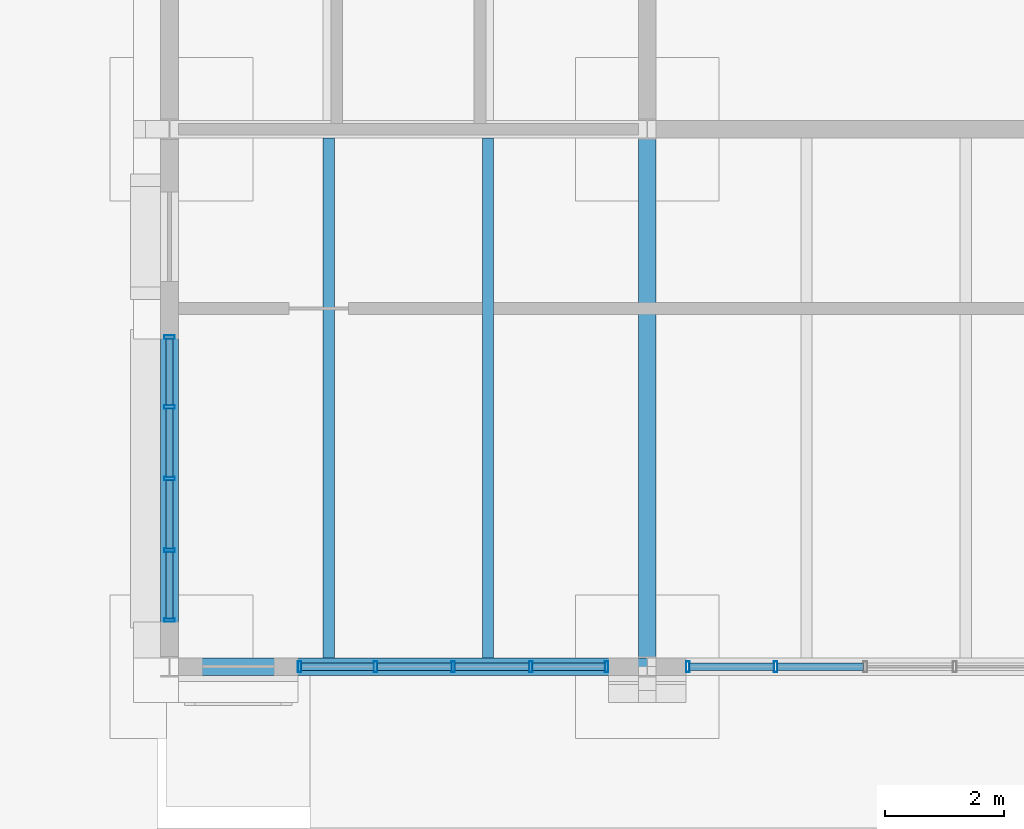
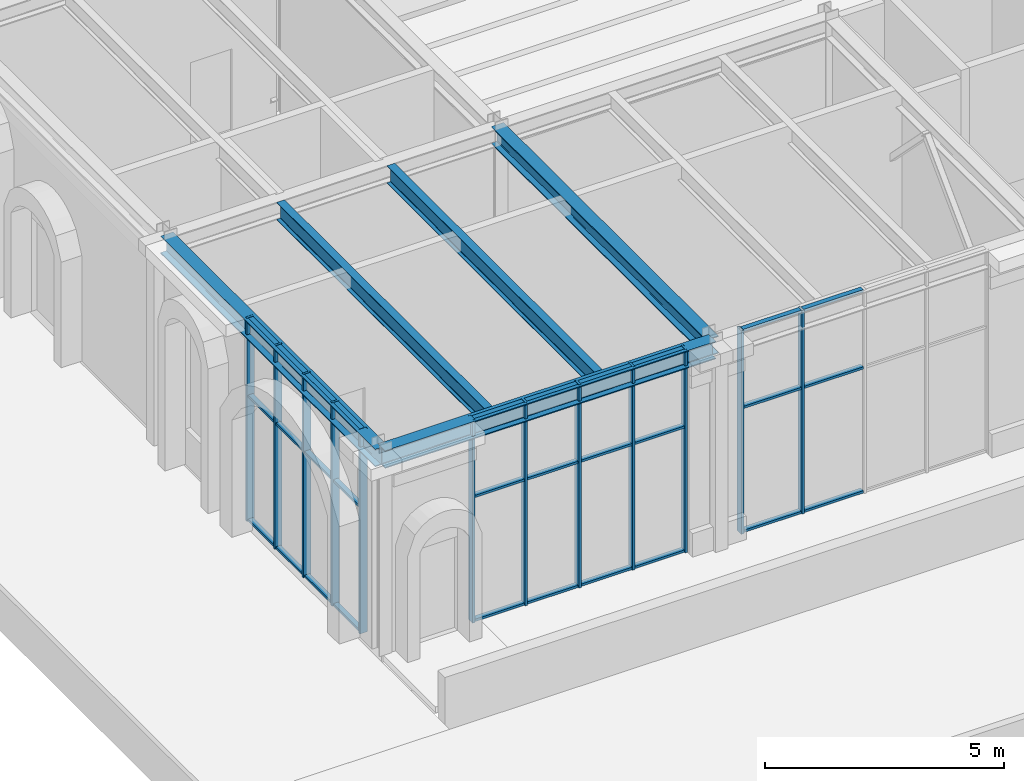
# One storey, part 29 of 126: 42 members, 5 beams, 3 elements without a shape of their own.
"""IFC4 building model written with IfcOpenShell, lengths in metres."""

from ifc_helpers import new_model, si_unit, direction, frame, origin, origin_2d, place, context, subcontext, project, spatial, hollow_rectangle, i_section, extrude, material, material_profile, profile_set, type_object, element, aggregate, save


model = new_model("IFC4")

# Units and contexts
model_context = context("Model", 3, precision=1e-05, world=origin(), true_north=direction((0.0, 1.0)))
body_context = subcontext(model_context, "Body", "Model", "MODEL_VIEW")
ifc_project = project(units=[si_unit("LENGTHUNIT", "METRE"), si_unit("AREAUNIT", "SQUARE_METRE"), si_unit("VOLUMEUNIT", "CUBIC_METRE"), si_unit("PLANEANGLEUNIT", "RADIAN"), si_unit("MASSUNIT", "GRAM", prefix="KILO")], contexts=[model_context])

# Site, building, storey
site_placement = place(None, origin())
site = spatial("IfcSite", under=ifc_project, at=site_placement, CompositionType="ELEMENT")
building_placement = place(site_placement, origin())
building = spatial("IfcBuilding", under=site, at=building_placement, Name="Kallimachos Central Library", CompositionType="ELEMENT")
storey_placement = place(building_placement, origin())
storey = spatial("IfcBuildingStorey", under=building, at=storey_placement, Name="L00", CompositionType="ELEMENT", Elevation=0.0)

# Curtain wall, members
ifc_material_1 = material(Name="Aluminium and laminated glass", Category="aluminium")
curtain_wall_type = type_object("IfcCurtainWallType", Name="Shopfront curtain wall", PredefinedType="NOTDEFINED", material=ifc_material_1)
curtain_wall_1_placement = place(storey_placement, origin())
curtain_wall_1 = element("IfcCurtainWall", 1, at=curtain_wall_1_placement, inside=storey, type_object=curtain_wall_type, Name="V6-CWL-L00-001", PredefinedType="NOTDEFINED")
ifc_material_2 = material(Name="Anodised aluminium", Category="aluminium")
ifc_material_profile_1 = material_profile(ifc_material_2, hollow_rectangle(XDim=0.06005859375, YDim=0.179931640625, WallThickness=0.00390625, at=origin_2d()), Name="ALU MULLION 60x180")
ifc_profile_set_1 = profile_set([ifc_material_profile_1], Name="Anodised aluminium")
member_type_1 = type_object("IfcMemberType", Name="ALU MULLION 60x180 mullion", PredefinedType="MULLION", material=ifc_profile_set_1)
member_1_placement = place(storey_placement, frame((8.179931640625, 9.0, 0.0), z_axis=(0.0, 0.0, 1.0), x_axis=(1.0, 0.0, 0.0)))
member_1 = element("IfcMember", 2, at=member_1_placement, type_object=member_type_1, Name="CW mullion 1", PredefinedType="MULLION", context=body_context, shape_type="SweptSolid", body=[
    extrude(hollow_rectangle(XDim=0.06005859375, YDim=0.179931640625, WallThickness=0.00390625, at=origin_2d()), origin(), (0.0, 0.0, 1.0), 5.199951171875),
])
member_2_placement = place(storey_placement, frame((9.449951171875, 9.0, 0.0), z_axis=(0.0, 0.0, 1.0), x_axis=(1.0, 0.0, 0.0)))
member_2 = element("IfcMember", 3, at=member_2_placement, type_object=member_type_1, Name="CW mullion 2", PredefinedType="MULLION", context=body_context, shape_type="SweptSolid", body=[
    extrude(hollow_rectangle(XDim=0.06005859375, YDim=0.179931640625, WallThickness=0.00390625, at=origin_2d()), origin(), (0.0, 0.0, 1.0), 5.199951171875),
])
member_3_placement = place(storey_placement, frame((10.75, 9.0, 0.0), z_axis=(0.0, 0.0, 1.0), x_axis=(1.0, 0.0, 0.0)))
member_3 = element("IfcMember", 4, at=member_3_placement, type_object=member_type_1, Name="CW mullion 3", PredefinedType="MULLION", context=body_context, shape_type="SweptSolid", body=[
    extrude(hollow_rectangle(XDim=0.06005859375, YDim=0.179931640625, WallThickness=0.00390625, at=origin_2d()), origin(), (0.0, 0.0, 1.0), 5.199951171875),
])
member_4_placement = place(storey_placement, frame((12.050048828125, 9.0, 0.0), z_axis=(0.0, 0.0, 1.0), x_axis=(1.0, 0.0, 0.0)))
member_4 = element("IfcMember", 5, at=member_4_placement, type_object=member_type_1, Name="CW mullion 4", PredefinedType="MULLION", context=body_context, shape_type="SweptSolid", body=[
    extrude(hollow_rectangle(XDim=0.06005859375, YDim=0.179931640625, WallThickness=0.00390625, at=origin_2d()), origin(), (0.0, 0.0, 1.0), 5.199951171875),
])
member_5_placement = place(storey_placement, frame((13.320068359375, 9.0, 0.0), z_axis=(0.0, 0.0, 1.0), x_axis=(1.0, 0.0, 0.0)))
member_5 = element("IfcMember", 6, at=member_5_placement, type_object=member_type_1, Name="CW mullion 5", PredefinedType="MULLION", context=body_context, shape_type="SweptSolid", body=[
    extrude(hollow_rectangle(XDim=0.06005859375, YDim=0.179931640625, WallThickness=0.00390625, at=origin_2d()), origin(), (0.0, 0.0, 1.0), 5.199951171875),
])

curtain_wall_2_placement = place(storey_placement, origin())
curtain_wall_2 = element("IfcCurtainWall", 7, at=curtain_wall_2_placement, inside=storey, type_object=curtain_wall_type, Name="V6-CWL-L00-002", PredefinedType="NOTDEFINED")
member_6_placement = place(storey_placement, frame((14.679931640625, 9.0, 0.0), z_axis=(0.0, 0.0, 1.0), x_axis=(1.0, 0.0, 0.0)))
member_6 = element("IfcMember", 8, at=member_6_placement, type_object=member_type_1, Name="CW mullion 1", PredefinedType="MULLION", context=body_context, shape_type="SweptSolid", body=[
    extrude(hollow_rectangle(XDim=0.06005859375, YDim=0.179931640625, WallThickness=0.00390625, at=origin_2d()), origin(), (0.0, 0.0, 1.0), 5.199951171875),
])
member_7_placement = place(storey_placement, frame((16.14990234375, 9.0, 0.0), z_axis=(0.0, 0.0, 1.0), x_axis=(1.0, 0.0, 0.0)))
member_7 = element("IfcMember", 9, at=member_7_placement, type_object=member_type_1, Name="CW mullion 2", PredefinedType="MULLION", context=body_context, shape_type="SweptSolid", body=[
    extrude(hollow_rectangle(XDim=0.06005859375, YDim=0.179931640625, WallThickness=0.00390625, at=origin_2d()), origin(), (0.0, 0.0, 1.0), 5.199951171875),
])

curtain_wall_3_placement = place(storey_placement, origin())
curtain_wall_3 = element("IfcCurtainWall", 10, at=curtain_wall_3_placement, inside=storey, type_object=curtain_wall_type, Name="V6-CWL-L00-003", PredefinedType="NOTDEFINED")
member_8_placement = place(storey_placement, frame((6.0, 9.780029296875, 0.0), z_axis=(0.0, 0.0, 1.0), x_axis=(0.0, 1.0, 0.0)))
member_8 = element("IfcMember", 11, at=member_8_placement, type_object=member_type_1, Name="CW mullion 1", PredefinedType="MULLION", context=body_context, shape_type="SweptSolid", body=[
    extrude(hollow_rectangle(XDim=0.06005859375, YDim=0.179931640625, WallThickness=0.00390625, at=origin_2d()), origin(), (0.0, 0.0, 1.0), 5.199951171875),
])
member_9_placement = place(storey_placement, frame((6.0, 10.949951171875, 0.0), z_axis=(0.0, 0.0, 1.0), x_axis=(0.0, 1.0, 0.0)))
member_9 = element("IfcMember", 12, at=member_9_placement, type_object=member_type_1, Name="CW mullion 2", PredefinedType="MULLION", context=body_context, shape_type="SweptSolid", body=[
    extrude(hollow_rectangle(XDim=0.06005859375, YDim=0.179931640625, WallThickness=0.00390625, at=origin_2d()), origin(), (0.0, 0.0, 1.0), 5.199951171875),
])
member_10_placement = place(storey_placement, frame((6.0, 12.14990234375, 0.0), z_axis=(0.0, 0.0, 1.0), x_axis=(0.0, 1.0, 0.0)))
member_10 = element("IfcMember", 13, at=member_10_placement, type_object=member_type_1, Name="CW mullion 3", PredefinedType="MULLION", context=body_context, shape_type="SweptSolid", body=[
    extrude(hollow_rectangle(XDim=0.06005859375, YDim=0.179931640625, WallThickness=0.00390625, at=origin_2d()), origin(), (0.0, 0.0, 1.0), 5.199951171875),
])
member_11_placement = place(storey_placement, frame((6.0, 13.35009765625, 0.0), z_axis=(0.0, 0.0, 1.0), x_axis=(0.0, 1.0, 0.0)))
member_11 = element("IfcMember", 14, at=member_11_placement, type_object=member_type_1, Name="CW mullion 4", PredefinedType="MULLION", context=body_context, shape_type="SweptSolid", body=[
    extrude(hollow_rectangle(XDim=0.06005859375, YDim=0.179931640625, WallThickness=0.00390625, at=origin_2d()), origin(), (0.0, 0.0, 1.0), 5.199951171875),
])
member_12_placement = place(storey_placement, frame((6.0, 14.52001953125, 0.0), z_axis=(0.0, 0.0, 1.0), x_axis=(0.0, 1.0, 0.0)))
member_12 = element("IfcMember", 15, at=member_12_placement, type_object=member_type_1, Name="CW mullion 5", PredefinedType="MULLION", context=body_context, shape_type="SweptSolid", body=[
    extrude(hollow_rectangle(XDim=0.06005859375, YDim=0.179931640625, WallThickness=0.00390625, at=origin_2d()), origin(), (0.0, 0.0, 1.0), 5.199951171875),
])

# Member
ifc_material_3 = material(Name="Anodised aluminium", Category="aluminium")
ifc_material_profile_2 = material_profile(ifc_material_3, hollow_rectangle(XDim=0.06005859375, YDim=0.1201171875, WallThickness=0.00390625, at=origin_2d()), Name="ALU TRANSOM 60x120")
ifc_profile_set_2 = profile_set([ifc_material_profile_2], Name="Anodised aluminium")
member_type_2 = type_object("IfcMemberType", Name="ALU TRANSOM 60x120 transom", PredefinedType="USERDEFINED", material=ifc_profile_set_2)
member_13_placement = place(storey_placement, frame((8.2099609375, 9.0, 0.030029296875), z_axis=(1.0, 0.0, 0.0), x_axis=(0.0, 0.0, 1.0)))
member_13 = element("IfcMember", 16, at=member_13_placement, type_object=member_type_2, Name="CW transom 1.1", ObjectType="TRANSOM", PredefinedType="USERDEFINED", context=body_context, shape_type="SweptSolid", body=[
    extrude(hollow_rectangle(XDim=0.06005859375, YDim=0.1201171875, WallThickness=0.00390625, at=origin_2d()), origin(), (0.0, 0.0, 1.0), 1.2099609375),
])

member_14_placement = place(storey_placement, frame((8.2099609375, 9.0, 3.199951171875), z_axis=(1.0, 0.0, 0.0), x_axis=(0.0, 0.0, 1.0)))
member_14 = element("IfcMember", 17, at=member_14_placement, type_object=member_type_2, Name="CW transom 1.2", ObjectType="TRANSOM", PredefinedType="USERDEFINED", context=body_context, shape_type="SweptSolid", body=[
    extrude(hollow_rectangle(XDim=0.06005859375, YDim=0.1201171875, WallThickness=0.00390625, at=origin_2d()), origin(), (0.0, 0.0, 1.0), 1.2099609375),
])

member_15_placement = place(storey_placement, frame((8.2099609375, 9.0, 5.169921875), z_axis=(1.0, 0.0, 0.0), x_axis=(0.0, 0.0, 1.0)))
member_15 = element("IfcMember", 18, at=member_15_placement, type_object=member_type_2, Name="CW transom 1.3", ObjectType="TRANSOM", PredefinedType="USERDEFINED", context=body_context, shape_type="SweptSolid", body=[
    extrude(hollow_rectangle(XDim=0.06005859375, YDim=0.1201171875, WallThickness=0.00390625, at=origin_2d()), origin(), (0.0, 0.0, 1.0), 1.2099609375),
])

member_16_placement = place(storey_placement, frame((9.47998046875, 9.0, 0.030029296875), z_axis=(1.0, 0.0, 0.0), x_axis=(0.0, 0.0, 1.0)))
member_16 = element("IfcMember", 19, at=member_16_placement, type_object=member_type_2, Name="CW transom 2.1", ObjectType="TRANSOM", PredefinedType="USERDEFINED", context=body_context, shape_type="SweptSolid", body=[
    extrude(hollow_rectangle(XDim=0.06005859375, YDim=0.1201171875, WallThickness=0.00390625, at=origin_2d()), origin(), (0.0, 0.0, 1.0), 1.239990234375),
])

member_17_placement = place(storey_placement, frame((9.47998046875, 9.0, 3.199951171875), z_axis=(1.0, 0.0, 0.0), x_axis=(0.0, 0.0, 1.0)))
member_17 = element("IfcMember", 20, at=member_17_placement, type_object=member_type_2, Name="CW transom 2.2", ObjectType="TRANSOM", PredefinedType="USERDEFINED", context=body_context, shape_type="SweptSolid", body=[
    extrude(hollow_rectangle(XDim=0.06005859375, YDim=0.1201171875, WallThickness=0.00390625, at=origin_2d()), origin(), (0.0, 0.0, 1.0), 1.239990234375),
])

member_18_placement = place(storey_placement, frame((9.47998046875, 9.0, 5.169921875), z_axis=(1.0, 0.0, 0.0), x_axis=(0.0, 0.0, 1.0)))
member_18 = element("IfcMember", 21, at=member_18_placement, type_object=member_type_2, Name="CW transom 2.3", ObjectType="TRANSOM", PredefinedType="USERDEFINED", context=body_context, shape_type="SweptSolid", body=[
    extrude(hollow_rectangle(XDim=0.06005859375, YDim=0.1201171875, WallThickness=0.00390625, at=origin_2d()), origin(), (0.0, 0.0, 1.0), 1.239990234375),
])

member_19_placement = place(storey_placement, frame((10.780029296875, 9.0, 0.030029296875), z_axis=(1.0, 0.0, 0.0), x_axis=(0.0, 0.0, 1.0)))
member_19 = element("IfcMember", 22, at=member_19_placement, type_object=member_type_2, Name="CW transom 3.1", ObjectType="TRANSOM", PredefinedType="USERDEFINED", context=body_context, shape_type="SweptSolid", body=[
    extrude(hollow_rectangle(XDim=0.06005859375, YDim=0.1201171875, WallThickness=0.00390625, at=origin_2d()), origin(), (0.0, 0.0, 1.0), 1.239990234375),
])

member_20_placement = place(storey_placement, frame((10.780029296875, 9.0, 3.199951171875), z_axis=(1.0, 0.0, 0.0), x_axis=(0.0, 0.0, 1.0)))
member_20 = element("IfcMember", 23, at=member_20_placement, type_object=member_type_2, Name="CW transom 3.2", ObjectType="TRANSOM", PredefinedType="USERDEFINED", context=body_context, shape_type="SweptSolid", body=[
    extrude(hollow_rectangle(XDim=0.06005859375, YDim=0.1201171875, WallThickness=0.00390625, at=origin_2d()), origin(), (0.0, 0.0, 1.0), 1.239990234375),
])

member_21_placement = place(storey_placement, frame((10.780029296875, 9.0, 5.169921875), z_axis=(1.0, 0.0, 0.0), x_axis=(0.0, 0.0, 1.0)))
member_21 = element("IfcMember", 24, at=member_21_placement, type_object=member_type_2, Name="CW transom 3.3", ObjectType="TRANSOM", PredefinedType="USERDEFINED", context=body_context, shape_type="SweptSolid", body=[
    extrude(hollow_rectangle(XDim=0.06005859375, YDim=0.1201171875, WallThickness=0.00390625, at=origin_2d()), origin(), (0.0, 0.0, 1.0), 1.239990234375),
])

member_22_placement = place(storey_placement, frame((12.080078125, 9.0, 0.030029296875), z_axis=(1.0, 0.0, 0.0), x_axis=(0.0, 0.0, 1.0)))
member_22 = element("IfcMember", 25, at=member_22_placement, type_object=member_type_2, Name="CW transom 4.1", ObjectType="TRANSOM", PredefinedType="USERDEFINED", context=body_context, shape_type="SweptSolid", body=[
    extrude(hollow_rectangle(XDim=0.06005859375, YDim=0.1201171875, WallThickness=0.00390625, at=origin_2d()), origin(), (0.0, 0.0, 1.0), 1.2099609375),
])

member_23_placement = place(storey_placement, frame((12.080078125, 9.0, 3.199951171875), z_axis=(1.0, 0.0, 0.0), x_axis=(0.0, 0.0, 1.0)))
member_23 = element("IfcMember", 26, at=member_23_placement, type_object=member_type_2, Name="CW transom 4.2", ObjectType="TRANSOM", PredefinedType="USERDEFINED", context=body_context, shape_type="SweptSolid", body=[
    extrude(hollow_rectangle(XDim=0.06005859375, YDim=0.1201171875, WallThickness=0.00390625, at=origin_2d()), origin(), (0.0, 0.0, 1.0), 1.2099609375),
])

member_24_placement = place(storey_placement, frame((12.080078125, 9.0, 5.169921875), z_axis=(1.0, 0.0, 0.0), x_axis=(0.0, 0.0, 1.0)))
member_24 = element("IfcMember", 27, at=member_24_placement, type_object=member_type_2, Name="CW transom 4.3", ObjectType="TRANSOM", PredefinedType="USERDEFINED", context=body_context, shape_type="SweptSolid", body=[
    extrude(hollow_rectangle(XDim=0.06005859375, YDim=0.1201171875, WallThickness=0.00390625, at=origin_2d()), origin(), (0.0, 0.0, 1.0), 1.2099609375),
])

aggregate(curtain_wall_1, [member_1, member_2, member_3, member_4, member_5, member_13, member_14, member_15, member_16, member_17, member_18, member_19, member_20, member_21, member_22, member_23, member_24])

member_25_placement = place(storey_placement, frame((14.7099609375, 9.0, 0.030029296875), z_axis=(1.0, 0.0, 0.0), x_axis=(0.0, 0.0, 1.0)))
member_25 = element("IfcMember", 28, at=member_25_placement, type_object=member_type_2, Name="CW transom 1.1", ObjectType="TRANSOM", PredefinedType="USERDEFINED", context=body_context, shape_type="SweptSolid", body=[
    extrude(hollow_rectangle(XDim=0.06005859375, YDim=0.1201171875, WallThickness=0.00390625, at=origin_2d()), origin(), (0.0, 0.0, 1.0), 1.41015625),
])

member_26_placement = place(storey_placement, frame((14.7099609375, 9.0, 3.199951171875), z_axis=(1.0, 0.0, 0.0), x_axis=(0.0, 0.0, 1.0)))
member_26 = element("IfcMember", 29, at=member_26_placement, type_object=member_type_2, Name="CW transom 1.2", ObjectType="TRANSOM", PredefinedType="USERDEFINED", context=body_context, shape_type="SweptSolid", body=[
    extrude(hollow_rectangle(XDim=0.06005859375, YDim=0.1201171875, WallThickness=0.00390625, at=origin_2d()), origin(), (0.0, 0.0, 1.0), 1.41015625),
])

member_27_placement = place(storey_placement, frame((14.7099609375, 9.0, 5.169921875), z_axis=(1.0, 0.0, 0.0), x_axis=(0.0, 0.0, 1.0)))
member_27 = element("IfcMember", 30, at=member_27_placement, type_object=member_type_2, Name="CW transom 1.3", ObjectType="TRANSOM", PredefinedType="USERDEFINED", context=body_context, shape_type="SweptSolid", body=[
    extrude(hollow_rectangle(XDim=0.06005859375, YDim=0.1201171875, WallThickness=0.00390625, at=origin_2d()), origin(), (0.0, 0.0, 1.0), 1.41015625),
])

member_28_placement = place(storey_placement, frame((16.179931640625, 9.0, 0.030029296875), z_axis=(1.0, 0.0, 0.0), x_axis=(0.0, 0.0, 1.0)))
member_28 = element("IfcMember", 31, at=member_28_placement, type_object=member_type_2, Name="CW transom 2.1", ObjectType="TRANSOM", PredefinedType="USERDEFINED", context=body_context, shape_type="SweptSolid", body=[
    extrude(hollow_rectangle(XDim=0.06005859375, YDim=0.1201171875, WallThickness=0.00390625, at=origin_2d()), origin(), (0.0, 0.0, 1.0), 1.440185546875),
])

member_29_placement = place(storey_placement, frame((16.179931640625, 9.0, 3.199951171875), z_axis=(1.0, 0.0, 0.0), x_axis=(0.0, 0.0, 1.0)))
member_29 = element("IfcMember", 32, at=member_29_placement, type_object=member_type_2, Name="CW transom 2.2", ObjectType="TRANSOM", PredefinedType="USERDEFINED", context=body_context, shape_type="SweptSolid", body=[
    extrude(hollow_rectangle(XDim=0.06005859375, YDim=0.1201171875, WallThickness=0.00390625, at=origin_2d()), origin(), (0.0, 0.0, 1.0), 1.440185546875),
])

member_30_placement = place(storey_placement, frame((16.179931640625, 9.0, 5.169921875), z_axis=(1.0, 0.0, 0.0), x_axis=(0.0, 0.0, 1.0)))
member_30 = element("IfcMember", 33, at=member_30_placement, type_object=member_type_2, Name="CW transom 2.3", ObjectType="TRANSOM", PredefinedType="USERDEFINED", context=body_context, shape_type="SweptSolid", body=[
    extrude(hollow_rectangle(XDim=0.06005859375, YDim=0.1201171875, WallThickness=0.00390625, at=origin_2d()), origin(), (0.0, 0.0, 1.0), 1.440185546875),
])

aggregate(curtain_wall_2, [member_6, member_7, member_25, member_26, member_27, member_28, member_29, member_30])

member_31_placement = place(storey_placement, frame((6.0, 9.81005859375, 0.030029296875), z_axis=(0.0, 1.0, 0.0), x_axis=(0.0, 0.0, 1.0)))
member_31 = element("IfcMember", 34, at=member_31_placement, type_object=member_type_2, Name="CW transom 1.1", ObjectType="TRANSOM", PredefinedType="USERDEFINED", context=body_context, shape_type="SweptSolid", body=[
    extrude(hollow_rectangle(XDim=0.06005859375, YDim=0.1201171875, WallThickness=0.00390625, at=origin_2d()), origin(), (0.0, 0.0, 1.0), 1.10986328125),
])

member_32_placement = place(storey_placement, frame((6.0, 9.81005859375, 3.199951171875), z_axis=(0.0, 1.0, 0.0), x_axis=(0.0, 0.0, 1.0)))
member_32 = element("IfcMember", 35, at=member_32_placement, type_object=member_type_2, Name="CW transom 1.2", ObjectType="TRANSOM", PredefinedType="USERDEFINED", context=body_context, shape_type="SweptSolid", body=[
    extrude(hollow_rectangle(XDim=0.06005859375, YDim=0.1201171875, WallThickness=0.00390625, at=origin_2d()), origin(), (0.0, 0.0, 1.0), 1.10986328125),
])

member_33_placement = place(storey_placement, frame((6.0, 9.81005859375, 5.169921875), z_axis=(0.0, 1.0, 0.0), x_axis=(0.0, 0.0, 1.0)))
member_33 = element("IfcMember", 36, at=member_33_placement, type_object=member_type_2, Name="CW transom 1.3", ObjectType="TRANSOM", PredefinedType="USERDEFINED", context=body_context, shape_type="SweptSolid", body=[
    extrude(hollow_rectangle(XDim=0.06005859375, YDim=0.1201171875, WallThickness=0.00390625, at=origin_2d()), origin(), (0.0, 0.0, 1.0), 1.10986328125),
])

member_34_placement = place(storey_placement, frame((6.0, 10.97998046875, 0.030029296875), z_axis=(0.0, 1.0, 0.0), x_axis=(0.0, 0.0, 1.0)))
member_34 = element("IfcMember", 37, at=member_34_placement, type_object=member_type_2, Name="CW transom 2.1", ObjectType="TRANSOM", PredefinedType="USERDEFINED", context=body_context, shape_type="SweptSolid", body=[
    extrude(hollow_rectangle(XDim=0.06005859375, YDim=0.1201171875, WallThickness=0.00390625, at=origin_2d()), origin(), (0.0, 0.0, 1.0), 1.14013671875),
])

member_35_placement = place(storey_placement, frame((6.0, 10.97998046875, 3.199951171875), z_axis=(0.0, 1.0, 0.0), x_axis=(0.0, 0.0, 1.0)))
member_35 = element("IfcMember", 38, at=member_35_placement, type_object=member_type_2, Name="CW transom 2.2", ObjectType="TRANSOM", PredefinedType="USERDEFINED", context=body_context, shape_type="SweptSolid", body=[
    extrude(hollow_rectangle(XDim=0.06005859375, YDim=0.1201171875, WallThickness=0.00390625, at=origin_2d()), origin(), (0.0, 0.0, 1.0), 1.14013671875),
])

member_36_placement = place(storey_placement, frame((6.0, 10.97998046875, 5.169921875), z_axis=(0.0, 1.0, 0.0), x_axis=(0.0, 0.0, 1.0)))
member_36 = element("IfcMember", 39, at=member_36_placement, type_object=member_type_2, Name="CW transom 2.3", ObjectType="TRANSOM", PredefinedType="USERDEFINED", context=body_context, shape_type="SweptSolid", body=[
    extrude(hollow_rectangle(XDim=0.06005859375, YDim=0.1201171875, WallThickness=0.00390625, at=origin_2d()), origin(), (0.0, 0.0, 1.0), 1.14013671875),
])

member_37_placement = place(storey_placement, frame((6.0, 12.179931640625, 0.030029296875), z_axis=(0.0, 1.0, 0.0), x_axis=(0.0, 0.0, 1.0)))
member_37 = element("IfcMember", 40, at=member_37_placement, type_object=member_type_2, Name="CW transom 3.1", ObjectType="TRANSOM", PredefinedType="USERDEFINED", context=body_context, shape_type="SweptSolid", body=[
    extrude(hollow_rectangle(XDim=0.06005859375, YDim=0.1201171875, WallThickness=0.00390625, at=origin_2d()), origin(), (0.0, 0.0, 1.0), 1.14013671875),
])

member_38_placement = place(storey_placement, frame((6.0, 12.179931640625, 3.199951171875), z_axis=(0.0, 1.0, 0.0), x_axis=(0.0, 0.0, 1.0)))
member_38 = element("IfcMember", 41, at=member_38_placement, type_object=member_type_2, Name="CW transom 3.2", ObjectType="TRANSOM", PredefinedType="USERDEFINED", context=body_context, shape_type="SweptSolid", body=[
    extrude(hollow_rectangle(XDim=0.06005859375, YDim=0.1201171875, WallThickness=0.00390625, at=origin_2d()), origin(), (0.0, 0.0, 1.0), 1.14013671875),
])

member_39_placement = place(storey_placement, frame((6.0, 12.179931640625, 5.169921875), z_axis=(0.0, 1.0, 0.0), x_axis=(0.0, 0.0, 1.0)))
member_39 = element("IfcMember", 42, at=member_39_placement, type_object=member_type_2, Name="CW transom 3.3", ObjectType="TRANSOM", PredefinedType="USERDEFINED", context=body_context, shape_type="SweptSolid", body=[
    extrude(hollow_rectangle(XDim=0.06005859375, YDim=0.1201171875, WallThickness=0.00390625, at=origin_2d()), origin(), (0.0, 0.0, 1.0), 1.14013671875),
])

member_40_placement = place(storey_placement, frame((6.0, 13.3798828125, 0.030029296875), z_axis=(0.0, 1.0, 0.0), x_axis=(0.0, 0.0, 1.0)))
member_40 = element("IfcMember", 43, at=member_40_placement, type_object=member_type_2, Name="CW transom 4.1", ObjectType="TRANSOM", PredefinedType="USERDEFINED", context=body_context, shape_type="SweptSolid", body=[
    extrude(hollow_rectangle(XDim=0.06005859375, YDim=0.1201171875, WallThickness=0.00390625, at=origin_2d()), origin(), (0.0, 0.0, 1.0), 1.110107421875),
])

member_41_placement = place(storey_placement, frame((6.0, 13.3798828125, 3.199951171875), z_axis=(0.0, 1.0, 0.0), x_axis=(0.0, 0.0, 1.0)))
member_41 = element("IfcMember", 44, at=member_41_placement, type_object=member_type_2, Name="CW transom 4.2", ObjectType="TRANSOM", PredefinedType="USERDEFINED", context=body_context, shape_type="SweptSolid", body=[
    extrude(hollow_rectangle(XDim=0.06005859375, YDim=0.1201171875, WallThickness=0.00390625, at=origin_2d()), origin(), (0.0, 0.0, 1.0), 1.110107421875),
])

member_42_placement = place(storey_placement, frame((6.0, 13.3798828125, 5.169921875), z_axis=(0.0, 1.0, 0.0), x_axis=(0.0, 0.0, 1.0)))
member_42 = element("IfcMember", 45, at=member_42_placement, type_object=member_type_2, Name="CW transom 4.3", ObjectType="TRANSOM", PredefinedType="USERDEFINED", context=body_context, shape_type="SweptSolid", body=[
    extrude(hollow_rectangle(XDim=0.06005859375, YDim=0.1201171875, WallThickness=0.00390625, at=origin_2d()), origin(), (0.0, 0.0, 1.0), 1.110107421875),
])

aggregate(curtain_wall_3, [member_8, member_9, member_10, member_11, member_12, member_31, member_32, member_33, member_34, member_35, member_36, member_37, member_38, member_39, member_40, member_41, member_42])

# Beams
ifc_material_4 = material(Name="Steel S355J2", Category="steel")
ifc_material_profile_3 = material_profile(ifc_material_4, i_section(OverallWidth=0.300048828125, OverallDepth=0.449951171875, WebThickness=0.013916015625, FlangeThickness=0.02587890625, FilletRadius=0.027099609375, at=origin_2d()), Name="HEB 450")
ifc_profile_set_3 = profile_set([ifc_material_profile_3], Name="Steel S355J2")
beam_type_1 = type_object("IfcBeamType", Name="HEB 450 beam", PredefinedType="BEAM", material=ifc_profile_set_3)
beam_1_placement = place(storey_placement, frame((6.0, 9.0, 4.97509765625), z_axis=(0.0, 1.0, 0.0), x_axis=(-1.0, 0.0, 0.0)))
element("IfcBeam", 46, at=beam_1_placement, inside=storey, type_object=beam_type_1, Name="V6-BEM-L00-001", PredefinedType="BEAM", context=body_context, shape_type="SweptSolid", body=[
    extrude(i_section(OverallWidth=0.300048828125, OverallDepth=0.449951171875, WebThickness=0.013916015625, FlangeThickness=0.02587890625, FilletRadius=0.027099609375, at=origin_2d()), origin(), (0.0, 0.0, 1.0), 9.0),
])
beam_2_placement = place(storey_placement, frame((6.0, 9.0, 4.97509765625), z_axis=(1.0, 0.0, 0.0), x_axis=(0.0, 1.0, 0.0)))
element("IfcBeam", 47, at=beam_2_placement, inside=storey, type_object=beam_type_1, Name="V6-BEM-L00-002", PredefinedType="BEAM", context=body_context, shape_type="SweptSolid", body=[
    extrude(i_section(OverallWidth=0.300048828125, OverallDepth=0.449951171875, WebThickness=0.013916015625, FlangeThickness=0.02587890625, FilletRadius=0.027099609375, at=origin_2d()), origin(), (0.0, 0.0, 1.0), 8.0),
])
beam_3_placement = place(storey_placement, frame((14.0, 9.0, 4.97509765625), z_axis=(0.0, 1.0, 0.0), x_axis=(-1.0, 0.0, 0.0)))
element("IfcBeam", 48, at=beam_3_placement, inside=storey, type_object=beam_type_1, Name="V6-BEM-L00-008", PredefinedType="BEAM", context=body_context, shape_type="SweptSolid", body=[
    extrude(i_section(OverallWidth=0.300048828125, OverallDepth=0.449951171875, WebThickness=0.013916015625, FlangeThickness=0.02587890625, FilletRadius=0.027099609375, at=origin_2d()), origin(), (0.0, 0.0, 1.0), 9.0),
])
ifc_material_5 = material(Name="Steel S355J2", Category="steel")
ifc_material_profile_4 = material_profile(ifc_material_5, i_section(OverallWidth=0.18994140625, OverallDepth=0.449951171875, WebThickness=0.009521484375, FlangeThickness=0.0146484375, FilletRadius=0.02099609375, at=origin_2d()), Name="IPE 450")
ifc_profile_set_4 = profile_set([ifc_material_profile_4], Name="Steel S355J2")
beam_type_2 = type_object("IfcBeamType", Name="IPE 450 beam", PredefinedType="BEAM", material=ifc_profile_set_4)
for number, where, z_axis, x_axis, name in (
    (49, (8.666748046875, 9.14990234375, 4.97509765625), (0.0, 1.0, 0.0), (-1.0, 0.0, 0.0), "V6-BEM-L00-016"),
    (50, (11.333251953125, 9.14990234375, 4.97509765625), (0.0, 1.0, 0.0), (-1.0, 0.0, 0.0), "V6-BEM-L00-017"),
):
    element("IfcBeam", number, at=place(storey_placement, frame(where, z_axis=z_axis, x_axis=x_axis)), inside=storey, type_object=beam_type_2, Name=name, PredefinedType="BEAM", context=body_context, shape_type="SweptSolid", body=[
        extrude(i_section(OverallWidth=0.18994140625, OverallDepth=0.449951171875, WebThickness=0.009521484375, FlangeThickness=0.0146484375, FilletRadius=0.02099609375, at=origin_2d()), origin(), (0.0, 0.0, 1.0), 8.7001953125),
    ])

save(model, "model.ifc")
